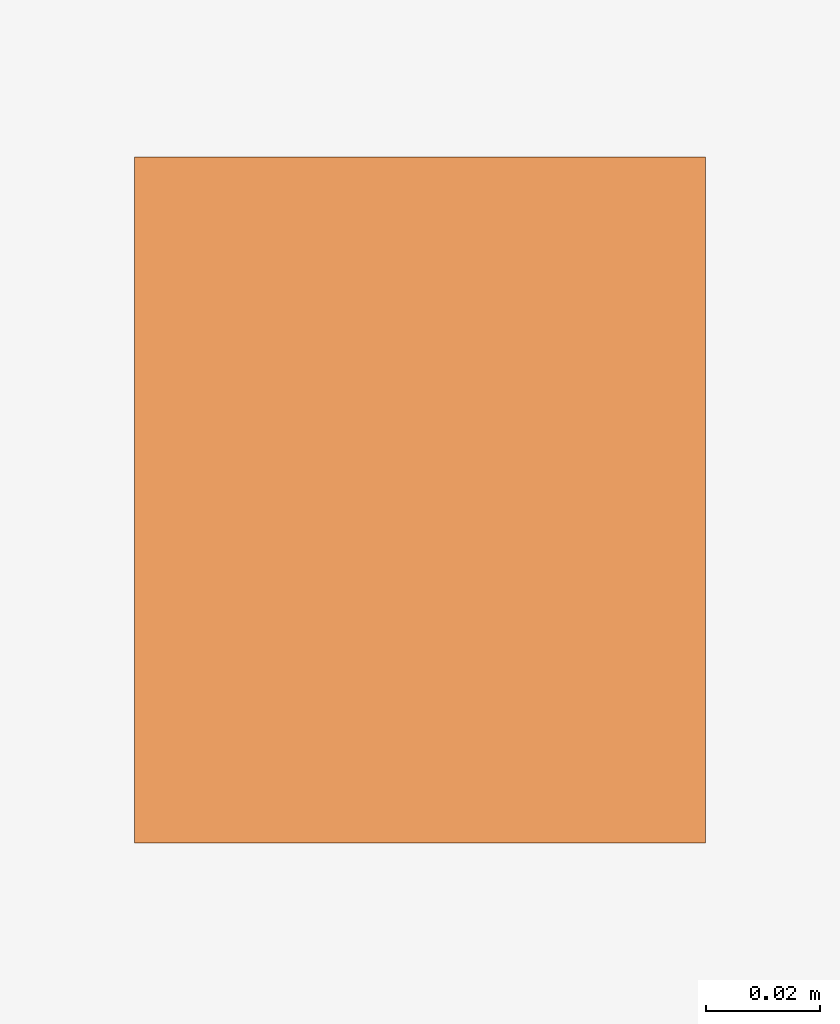
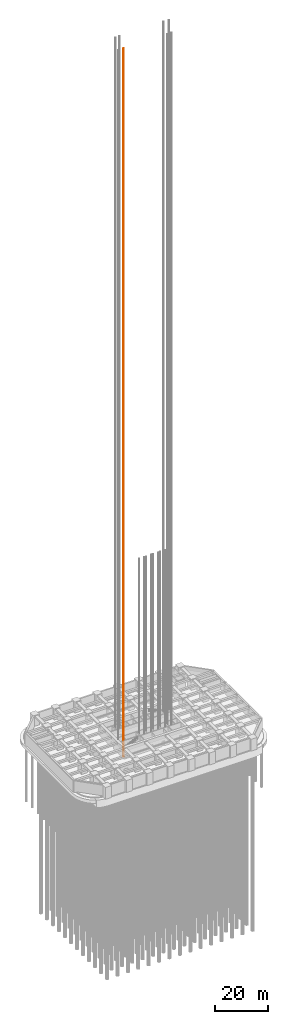
# One storey, part 10 of 24: 1 proxy.
"""IFC4 building model written with IfcOpenShell, lengths in metres."""

from ifc_helpers import new_model, si_unit, direction, frame, origin, origin_2d, place, context, subcontext, project, spatial, rectangle, extrude, element, save


model = new_model("IFC4")

# Units and contexts
model_context = context("Model", 3, precision=1e-05, world=origin(), true_north=direction((0.0, 1.0)))
body_context = subcontext(model_context, "Body", "Model", "MODEL_VIEW")
ifc_project = project(units=[si_unit("LENGTHUNIT", "METRE"), si_unit("AREAUNIT", "SQUARE_METRE"), si_unit("VOLUMEUNIT", "CUBIC_METRE"), si_unit("PLANEANGLEUNIT", "RADIAN"), si_unit("MASSUNIT", "GRAM", prefix="KILO")], contexts=[model_context])

# Site, building, storey
site_placement = place(None, origin())
site = spatial("IfcSite", under=ifc_project, at=site_placement, CompositionType="ELEMENT")
building_placement = place(site_placement, origin())
building = spatial("IfcBuilding", under=site, at=building_placement, Name="Zorevar Civic Tower", CompositionType="ELEMENT")
storey_placement = place(building_placement, frame((0.0, 0.0, -5.0)))
storey = spatial("IfcBuildingStorey", under=building, at=storey_placement, Name="B1", CompositionType="ELEMENT", Elevation=-5.0)

# Proxy
proxy_placement = place(storey_placement, frame((20.64990234375, 23.199951171875, -3.349853515625), z_axis=(0.0, 0.0, 1.0), x_axis=(1.0, 0.0, 0.0)))
element("IfcBuildingElementProxy", 1, at=proxy_placement, inside=storey, Name="Firefighting lift FL1 guide rail 2", PredefinedType="NOTDEFINED", context=body_context, shape_type="SweptSolid", body=[
    extrude(rectangle(XDim=0.10009765625, YDim=0.1201171875, at=origin_2d()), origin(), (0.0, 0.0, 1.0), 323.64990234375),
])

save(model, "model.ifc")
